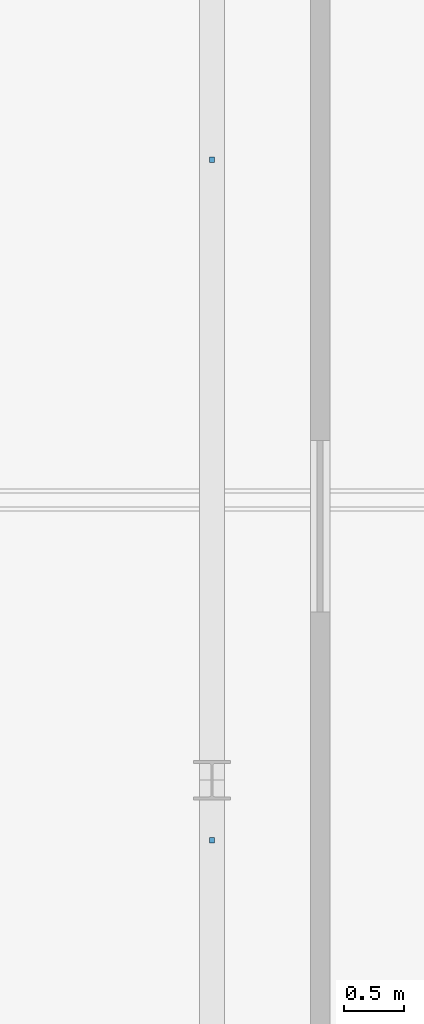
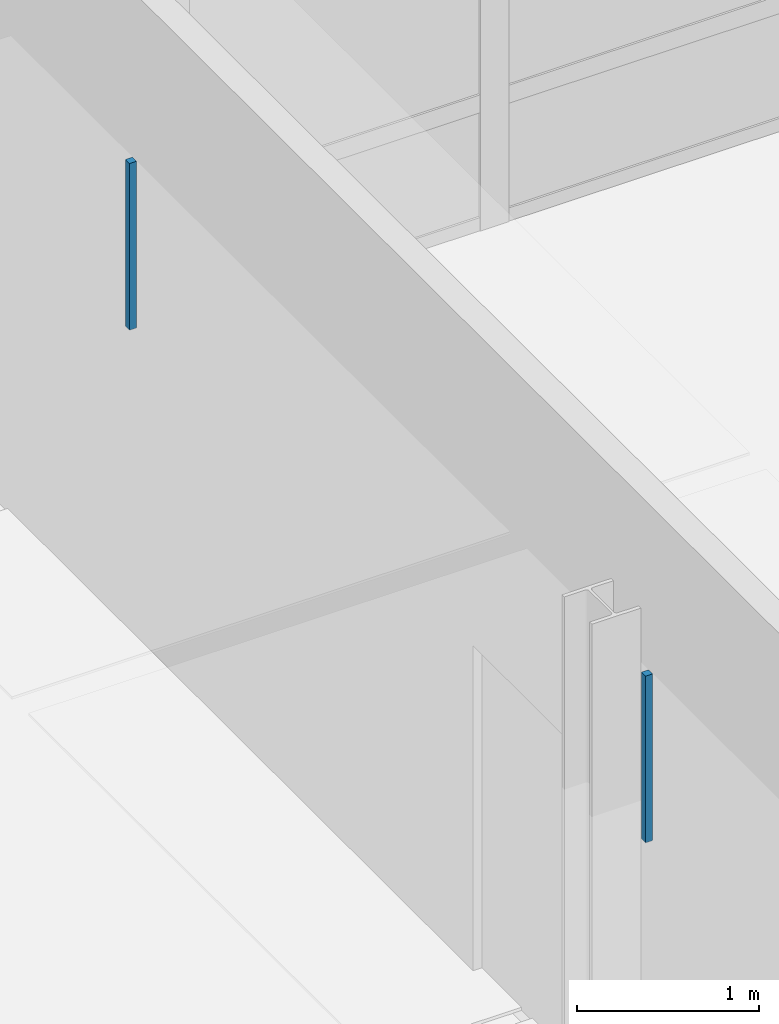
# One storey, part 59 of 66: 2 discrete accessories.
"""IFC4 building model written with IfcOpenShell, lengths in metres."""

from ifc_helpers import new_model, si_unit, direction, frame, origin, origin_2d, place, context, subcontext, project, spatial, rectangle, extrude, material, type_object, element, save


model = new_model("IFC4")

# Units and contexts
model_context = context("Model", 3, precision=1e-05, world=origin(), true_north=direction((0.0, 1.0)))
body_context = subcontext(model_context, "Body", "Model", "MODEL_VIEW")
ifc_project = project(units=[si_unit("LENGTHUNIT", "METRE"), si_unit("AREAUNIT", "SQUARE_METRE"), si_unit("VOLUMEUNIT", "CUBIC_METRE"), si_unit("PLANEANGLEUNIT", "RADIAN"), si_unit("MASSUNIT", "GRAM", prefix="KILO"), si_unit("THERMODYNAMICTEMPERATUREUNIT", "KELVIN"), si_unit("POWERUNIT", "WATT")], contexts=[model_context])

# Site, building, storey
site_placement = place(None, origin())
site = spatial("IfcSite", under=ifc_project, at=site_placement, CompositionType="ELEMENT")
building_placement = place(site_placement, origin())
building = spatial("IfcBuilding", under=site, at=building_placement, Name="Tallowbark Science Centre", CompositionType="ELEMENT")
storey_placement = place(building_placement, frame((0.0, 0.0, 18.89990234375)))
storey = spatial("IfcBuildingStorey", under=building, at=storey_placement, Name="L04", CompositionType="ELEMENT", Elevation=18.89990234375)

# Discrete accessories
ifc_material = material(Name="Galvanised Steel Grade C350L0 (350 MPa)", Category="steel")
discrete_accessory_type = type_object("IfcDiscreteAccessoryType", Name="ACC-CLG-HNG", PredefinedType="BRACKET", material=ifc_material)
for number, where, z_axis, x_axis, name in (
    (1, (130.5, 98.5, 3.2060546875), (0.0, 0.0, 1.0), (1.0, 0.0, 0.0), "Ceiling Hanger Bracket L04-1126"),
    (2, (130.5, 104.166748046875, 3.2060546875), (0.0, 0.0, 1.0), (1.0, 0.0, 0.0), "Ceiling Hanger Bracket L04-1127"),
):
    element("IfcDiscreteAccessory", number, at=place(storey_placement, frame(where, z_axis=z_axis, x_axis=x_axis)), inside=storey, type_object=discrete_accessory_type, Name=name, PredefinedType="BRACKET", context=body_context, shape_type="SweptSolid", body=[
        extrude(rectangle(XDim=0.044921875, YDim=0.044921875, at=origin_2d()), origin(), (0.0, 0.0, 1.0), 1.116943359375),
    ])

save(model, "model.ifc")
